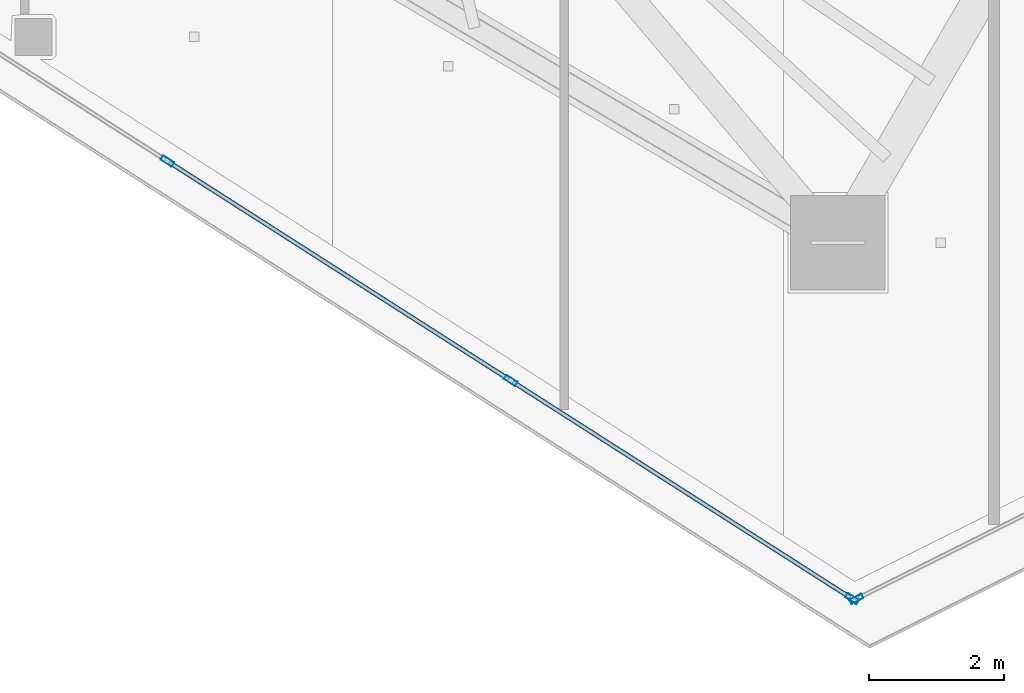
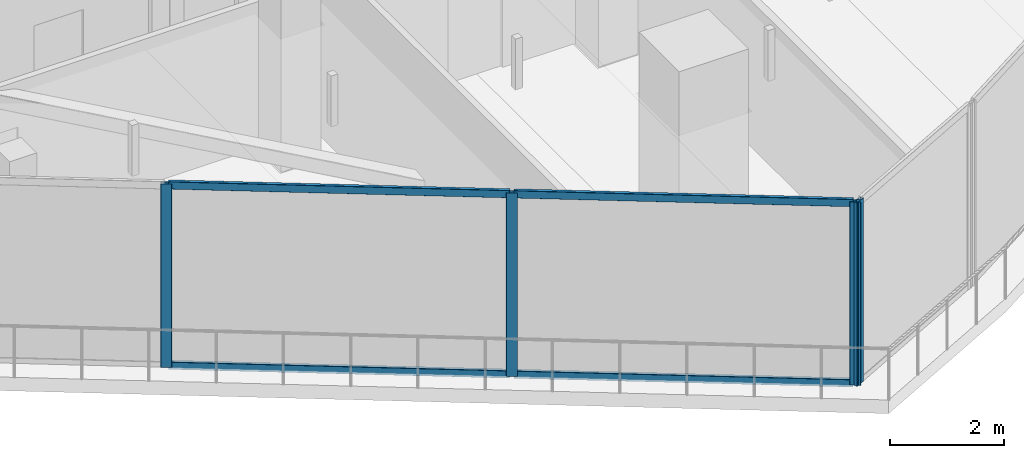
# One storey, part 3 of 30: 8 members, 2 elements without a shape of their own.
"""IFC4 building model written with IfcOpenShell, lengths in metres."""

from ifc_helpers import new_model, si_unit, direction, frame, origin, origin_2d, place, context, subcontext, project, spatial, hollow_rectangle, extrude, material, layer, layer_set, material_profile, profile_set, type_object, element, aggregate, save


model = new_model("IFC4")

# Units and contexts
model_context = context("Model", 3, precision=1e-05, world=origin(), true_north=direction((0.0, 1.0)))
body_context = subcontext(model_context, "Body", "Model", "MODEL_VIEW")
ifc_project = project(units=[si_unit("LENGTHUNIT", "METRE"), si_unit("AREAUNIT", "SQUARE_METRE"), si_unit("VOLUMEUNIT", "CUBIC_METRE"), si_unit("PLANEANGLEUNIT", "RADIAN"), si_unit("MASSUNIT", "GRAM", prefix="KILO")], contexts=[model_context])

# Site, building, storey
site_placement = place(None, origin())
site = spatial("IfcSite", under=ifc_project, at=site_placement, CompositionType="ELEMENT")
building_placement = place(site_placement, origin())
building = spatial("IfcBuilding", under=site, at=building_placement, Name="Qorvath Tower", CompositionType="ELEMENT")
storey_placement = place(building_placement, frame((0.0, 0.0, 301.800048828125)))
storey = spatial("IfcBuildingStorey", under=building, at=storey_placement, Name="L70", CompositionType="ELEMENT", Elevation=301.800048828125)

# Curtain wall, members
ifc_material_1 = material(Name="Anodised aluminium and triple low-E glass", Category="aluminium")
ifc_layer = layer(ifc_material_1, 0.179931640625)
ifc_layer_set = layer_set([ifc_layer], Name="CW-SYS-4")
curtain_wall_type = type_object("IfcCurtainWallType", Name="CW-SYS-4", PredefinedType="NOTDEFINED", material=ifc_layer_set)
curtain_wall_1_placement = place(storey_placement, origin())
curtain_wall_1 = element("IfcCurtainWall", 1, at=curtain_wall_1_placement, inside=storey, type_object=curtain_wall_type, Name="Curtain Wall CW-4 CW-T-L70-2.2", PredefinedType="NOTDEFINED")
ifc_material_2 = material(Name="Anodised aluminium 6063-T6", Category="aluminium")
ifc_material_profile_1 = material_profile(ifc_material_2, hollow_rectangle(XDim=0.074951171875, YDim=0.199951171875, WallThickness=0.00390625, InnerFilletRadius=0.00390625, OuterFilletRadius=0.008056640625, at=origin_2d()), Name="CWM 200x75")
ifc_profile_set_1 = profile_set([ifc_material_profile_1], Name="Anodised aluminium 6063-T6")
member_type_1 = type_object("IfcMemberType", Name="CWM-200", PredefinedType="MULLION", material=ifc_profile_set_1)
member_1_placement = place(storey_placement, frame((-28.6923828125, -15.96533203125, 0.0), z_axis=(0.0, 0.0, 1.0), x_axis=(0.538535180788, 0.84260302578, 0.0)))
member_1 = element("IfcMember", 2, at=member_1_placement, type_object=member_type_1, Name="CW-4 mullion 2", PredefinedType="MULLION", context=body_context, shape_type="SweptSolid", body=[
    extrude(hollow_rectangle(XDim=0.074951171875, YDim=0.199951171875, WallThickness=0.00390625, InnerFilletRadius=0.00390625, OuterFilletRadius=0.008056640625, at=origin_2d()), origin(), (0.0, 0.0, 1.0), 3.909912109375),
])
member_2_placement = place(storey_placement, frame((-23.600341796875, -19.2197265625, 0.0), z_axis=(0.0, 0.0, 1.0), x_axis=(0.538535180788, 0.84260302578, 0.0)))
member_2 = element("IfcMember", 3, at=member_2_placement, type_object=member_type_1, Name="CW-4 mullion 3", PredefinedType="MULLION", context=body_context, shape_type="SweptSolid", body=[
    extrude(hollow_rectangle(XDim=0.074951171875, YDim=0.199951171875, WallThickness=0.00390625, InnerFilletRadius=0.00390625, OuterFilletRadius=0.008056640625, at=origin_2d()), origin(), (0.0, 0.0, 1.0), 3.909912109375),
])
member_3_placement = place(storey_placement, frame((-18.5400390625, -22.453857421875, 0.0), z_axis=(0.0, 0.0, 1.0), x_axis=(0.538535180788, 0.84260302578, 0.0)))
member_3 = element("IfcMember", 4, at=member_3_placement, type_object=member_type_1, Name="CW-4 mullion 4", PredefinedType="MULLION", context=body_context, shape_type="SweptSolid", body=[
    extrude(hollow_rectangle(XDim=0.074951171875, YDim=0.199951171875, WallThickness=0.00390625, InnerFilletRadius=0.00390625, OuterFilletRadius=0.008056640625, at=origin_2d()), origin(), (0.0, 0.0, 1.0), 3.909912109375),
])

# Curtain wall, member
curtain_wall_2_placement = place(storey_placement, origin())
curtain_wall_2 = element("IfcCurtainWall", 5, at=curtain_wall_2_placement, inside=storey, type_object=curtain_wall_type, Name="Curtain Wall CW-4 CW-T-L70-3.1", PredefinedType="NOTDEFINED")
member_4_placement = place(storey_placement, frame((-18.474853515625, -22.457275390625, 0.0), z_axis=(0.0, 0.0, 1.0), x_axis=(-0.447213595499, 0.894427191001, 0.0)))
member_4 = element("IfcMember", 6, at=member_4_placement, type_object=member_type_1, Name="CW-4 mullion 1", PredefinedType="MULLION", context=body_context, shape_type="SweptSolid", body=[
    extrude(hollow_rectangle(XDim=0.074951171875, YDim=0.199951171875, WallThickness=0.00390625, InnerFilletRadius=0.00390625, OuterFilletRadius=0.008056640625, at=origin_2d()), origin(), (0.0, 0.0, 1.0), 3.909912109375),
])
aggregate(curtain_wall_2, [member_4])

# Member
ifc_material_3 = material(Name="Anodised aluminium 6063-T6", Category="aluminium")
ifc_material_profile_2 = material_profile(ifc_material_3, hollow_rectangle(XDim=0.06494140625, YDim=0.159912109375, WallThickness=0.00341796875, InnerFilletRadius=0.00341796875, OuterFilletRadius=0.007080078125, at=origin_2d()), Name="CWT 160x65")
ifc_profile_set_2 = profile_set([ifc_material_profile_2], Name="Anodised aluminium 6063-T6")
member_type_2 = type_object("IfcMemberType", Name="CWT-160", PredefinedType="USERDEFINED", material=ifc_profile_set_2)
member_5_placement = place(storey_placement, frame((-28.66064453125, -15.985595703125, 0.032470703125), z_axis=(0.842607054956, -0.538528876606, 0.0), x_axis=(0.538528876606, 0.842607054956, 0.0)))
member_5 = element("IfcMember", 7, at=member_5_placement, type_object=member_type_2, Name="CW-4 transom 2.1", ObjectType="TRANSOM", PredefinedType="USERDEFINED", context=body_context, shape_type="SweptSolid", body=[
    extrude(hollow_rectangle(XDim=0.06494140625, YDim=0.159912109375, WallThickness=0.00341796875, InnerFilletRadius=0.00341796875, OuterFilletRadius=0.007080078125, at=origin_2d()), origin(), (0.0, 0.0, 1.0), 5.9677734375),
])

member_6_placement = place(storey_placement, frame((-28.66064453125, -15.985595703125, 3.87744140625), z_axis=(0.842607054956, -0.538528876606, 0.0), x_axis=(0.538528876606, 0.842607054956, 0.0)))
member_6 = element("IfcMember", 8, at=member_6_placement, type_object=member_type_2, Name="CW-4 transom 2.2", ObjectType="TRANSOM", PredefinedType="USERDEFINED", context=body_context, shape_type="SweptSolid", body=[
    extrude(hollow_rectangle(XDim=0.06494140625, YDim=0.159912109375, WallThickness=0.00341796875, InnerFilletRadius=0.00341796875, OuterFilletRadius=0.007080078125, at=origin_2d()), origin(), (0.0, 0.0, 1.0), 5.9677734375),
])

member_7_placement = place(storey_placement, frame((-23.56884765625, -19.239990234375, 0.032470703125), z_axis=(0.842617389539, -0.5385127063, 0.0), x_axis=(0.5385127063, 0.842617389539, 0.0)))
member_7 = element("IfcMember", 9, at=member_7_placement, type_object=member_type_2, Name="CW-4 transom 3.1", ObjectType="TRANSOM", PredefinedType="USERDEFINED", context=body_context, shape_type="SweptSolid", body=[
    extrude(hollow_rectangle(XDim=0.06494140625, YDim=0.159912109375, WallThickness=0.00341796875, InnerFilletRadius=0.00341796875, OuterFilletRadius=0.007080078125, at=origin_2d()), origin(), (0.0, 0.0, 1.0), 5.930419921875),
])

member_8_placement = place(storey_placement, frame((-23.56884765625, -19.239990234375, 3.87744140625), z_axis=(0.842617389539, -0.5385127063, 0.0), x_axis=(0.5385127063, 0.842617389539, 0.0)))
member_8 = element("IfcMember", 10, at=member_8_placement, type_object=member_type_2, Name="CW-4 transom 3.2", ObjectType="TRANSOM", PredefinedType="USERDEFINED", context=body_context, shape_type="SweptSolid", body=[
    extrude(hollow_rectangle(XDim=0.06494140625, YDim=0.159912109375, WallThickness=0.00341796875, InnerFilletRadius=0.00341796875, OuterFilletRadius=0.007080078125, at=origin_2d()), origin(), (0.0, 0.0, 1.0), 5.930419921875),
])

aggregate(curtain_wall_1, [member_1, member_2, member_3, member_5, member_6, member_7, member_8])

save(model, "model.ifc")
